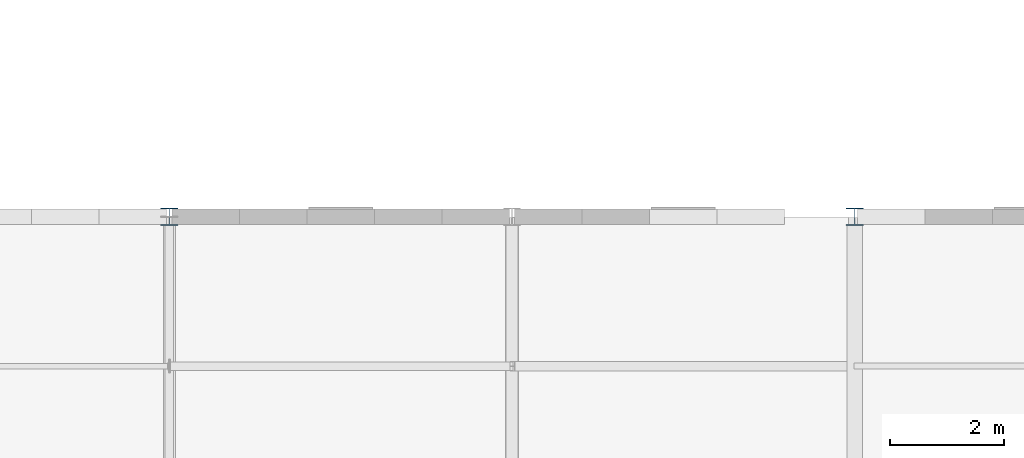
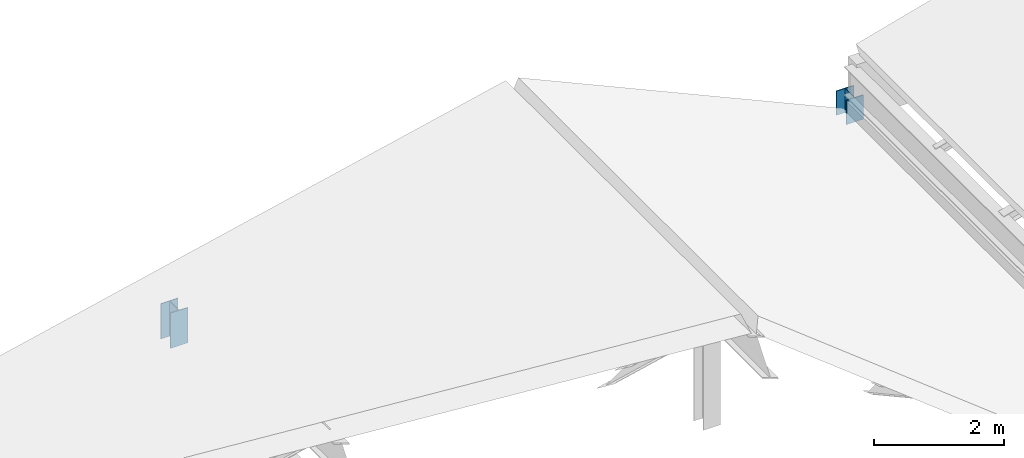
# One storey, part 31 of 74: 2 members.
"""IFC4 building model written with IfcOpenShell, lengths in metres."""

from ifc_helpers import new_model, si_unit, direction, frame, origin, origin_2d, place, context, subcontext, project, spatial, i_section, extrude, material, material_profile, profile_set, type_object, element, save


model = new_model("IFC4")

# Units and contexts
model_context = context("Model", 3, precision=1e-05, world=origin(), true_north=direction((0.0, 1.0)))
body_context = subcontext(model_context, "Body", "Model", "MODEL_VIEW")
ifc_project = project(units=[si_unit("LENGTHUNIT", "METRE"), si_unit("AREAUNIT", "SQUARE_METRE"), si_unit("VOLUMEUNIT", "CUBIC_METRE"), si_unit("PLANEANGLEUNIT", "RADIAN"), si_unit("MASSUNIT", "GRAM", prefix="KILO")], contexts=[model_context])

# Site, building, storey
site_placement = place(None, origin())
site = spatial("IfcSite", under=ifc_project, at=site_placement, CompositionType="ELEMENT")
building_placement = place(site_placement, origin())
building = spatial("IfcBuilding", under=site, at=building_placement, Name="Siltcreek Boulevard Central Fire Station", CompositionType="ELEMENT")
storey_placement = place(building_placement, frame((0.0, 0.0, 25.199951171875)))
storey = spatial("IfcBuildingStorey", under=building, at=storey_placement, Name="RF", CompositionType="ELEMENT", Elevation=25.199951171875)

# Members
ifc_material = material(Name="Structural steel ASTM A992 Gr50", Category="steel")
ifc_material_profile = material_profile(ifc_material, i_section(OverallWidth=0.304931640625, OverallDepth=0.30810546875, WebThickness=0.010009765625, FlangeThickness=0.015380859375, at=origin_2d()), Name="W310X97")
ifc_profile_set = profile_set([ifc_material_profile], Name="Structural steel ASTM A992 Gr50")
member_type = type_object("IfcMemberType", Name="CH_W310X97", PredefinedType="CHORD", material=ifc_profile_set)
member_1_placement = place(storey_placement, frame((72.0, 54.0, -11.199951171875), z_axis=(0.0, 0.0, 1.0), x_axis=(1.0, 0.0, 0.0)))
element("IfcMember", 1, at=member_1_placement, inside=storey, type_object=member_type, Name="Roof bearing truss post 0724", PredefinedType="CHORD", context=body_context, shape_type="SweptSolid", body=[
    extrude(i_section(OverallWidth=0.304931640625, OverallDepth=0.30810546875, WebThickness=0.010009765625, FlangeThickness=0.015380859375, at=origin_2d()), origin(), (0.0, 0.0, 1.0), 0.66259765625),
])
member_2_placement = place(storey_placement, frame((84.0, 54.0, -11.199951171875), z_axis=(0.0, 0.0, 1.0), x_axis=(1.0, 0.0, 0.0)))
element("IfcMember", 2, at=member_2_placement, inside=storey, type_object=member_type, Name="Roof bearing truss post 0736", PredefinedType="CHORD", context=body_context, shape_type="SweptSolid", body=[
    extrude(i_section(OverallWidth=0.304931640625, OverallDepth=0.30810546875, WebThickness=0.010009765625, FlangeThickness=0.015380859375, at=origin_2d()), origin(), (0.0, 0.0, 1.0), 0.453125),
])

save(model, "model.ifc")
